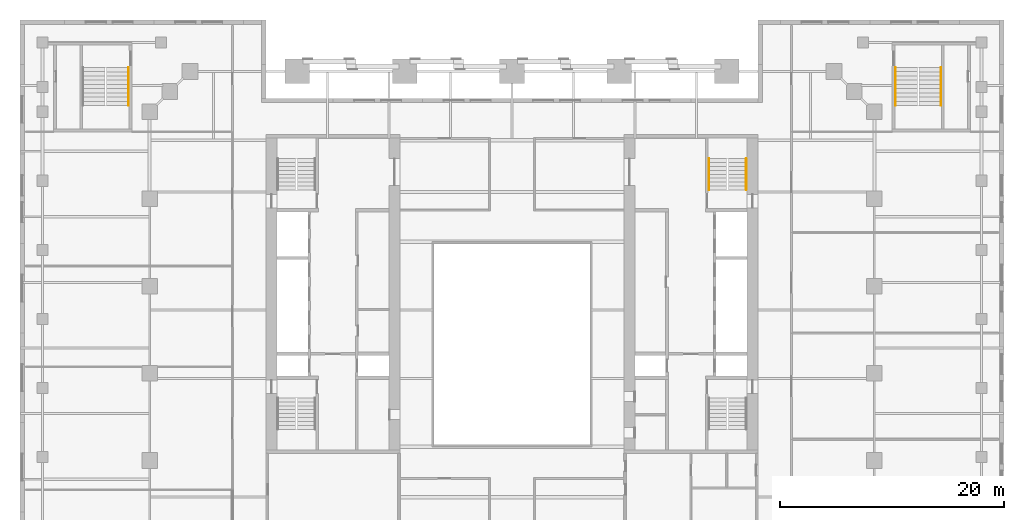
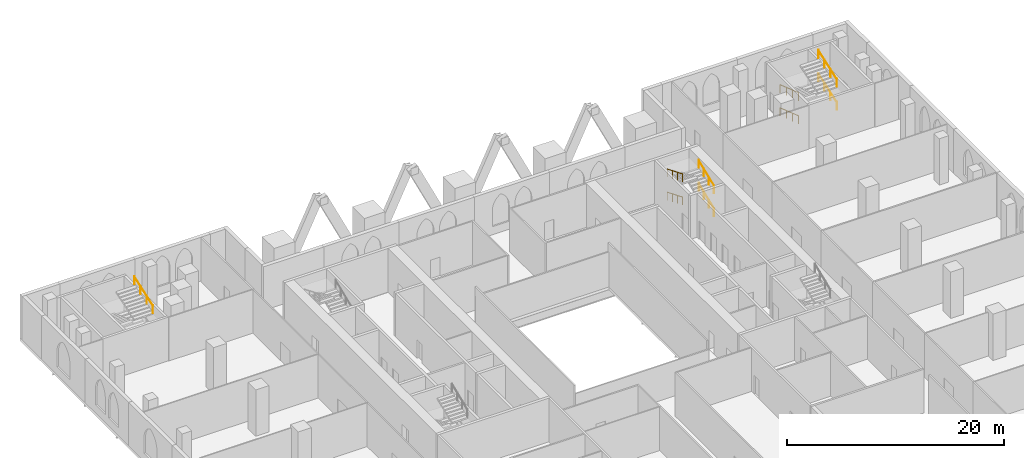
# One storey, part 22 of 22: 9 railings.
"""IFC4 building model written with IfcOpenShell, lengths in metres."""

from ifc_helpers import new_model, si_unit, direction, frame, origin, origin_2d, place, context, subcontext, project, spatial, circle, extrude, material, type_object, element, save


model = new_model("IFC4")

# Units and contexts
model_context = context("Model", 3, precision=1e-05, world=origin(), true_north=direction((0.0, 1.0)))
body_context = subcontext(model_context, "Body", "Model", "MODEL_VIEW")
ifc_project = project(units=[si_unit("LENGTHUNIT", "METRE"), si_unit("AREAUNIT", "SQUARE_METRE"), si_unit("VOLUMEUNIT", "CUBIC_METRE"), si_unit("PLANEANGLEUNIT", "RADIAN"), si_unit("MASSUNIT", "GRAM", prefix="KILO")], contexts=[model_context])

# Site, building, storey
site_placement = place(None, origin())
site = spatial("IfcSite", under=ifc_project, at=site_placement, CompositionType="ELEMENT")
building_placement = place(site_placement, origin())
building = spatial("IfcBuilding", under=site, at=building_placement, Name="Ogive Exchange Tower", CompositionType="ELEMENT")
storey_placement = place(building_placement, frame((0.0, 0.0, 14.0)))
storey = spatial("IfcBuildingStorey", under=building, at=storey_placement, Name="L02", CompositionType="ELEMENT", Elevation=14.0)

# Railings
ifc_material = material(Name="Stainless steel", Category="steel")
railing_type = type_object("IfcRailingType", Name="Stair handrail 900", PredefinedType="HANDRAIL", material=ifc_material)
railing_1_placement = place(storey_placement, frame((20.949951171875, 20.800048828125, 0.14453125)))
element("IfcRailing", 1, at=railing_1_placement, inside=storey, type_object=railing_type, Name="L02 ST4 stair handrail 1", PredefinedType="HANDRAIL", context=body_context, shape_type="SweptSolid", body=[
    extrude(circle(Radius=0.02392578125, at=origin_2d()), frame((0.0, 0.0, 0.8759765625), z_axis=(0.0, 0.924754679997, 0.380563768405), x_axis=(-1.0, 0.0, 0.0)), (0.0, 0.0, 1.0), 3.036376953125),
    extrude(circle(Radius=0.02099609375, at=origin_2d()), origin(), (0.0, 0.0, 1.0), 0.851806640625),
    extrude(circle(Radius=0.02099609375, at=origin_2d()), frame((0.0, 0.93603515625, 0.38525390625)), (0.0, 0.0, 1.0), 0.851806640625),
    extrude(circle(Radius=0.02099609375, at=origin_2d()), frame((0.0, 1.871826171875, 0.770263671875)), (0.0, 0.0, 1.0), 0.851806640625),
    extrude(circle(Radius=0.02099609375, at=origin_2d()), frame((0.0, 2.807861328125, 1.155517578125)), (0.0, 0.0, 1.0), 0.851806640625),
])
railing_2_placement = place(storey_placement, frame((17.60009765625, 23.60791015625, 1.4443359375)))
element("IfcRailing", 2, at=railing_2_placement, inside=storey, type_object=railing_type, Name="L02 ST4 stair handrail 2", PredefinedType="HANDRAIL", context=body_context, shape_type="SweptSolid", body=[
    extrude(circle(Radius=0.02392578125, at=origin_2d()), frame((0.0, 0.0, 0.8759765625), z_axis=(0.0, -0.924726381013, 0.380632526538), x_axis=(1.0, 0.0, 0.0)), (0.0, 0.0, 1.0), 3.036376953125),
    extrude(circle(Radius=0.02099609375, at=origin_2d()), origin(), (0.0, 0.0, 1.0), 0.851806640625),
    extrude(circle(Radius=0.02099609375, at=origin_2d()), frame((0.0, -0.93603515625, 0.38525390625)), (0.0, 0.0, 1.0), 0.851806640625),
    extrude(circle(Radius=0.02099609375, at=origin_2d()), frame((0.0, -1.871826171875, 0.7705078125)), (0.0, 0.0, 1.0), 0.851806640625),
    extrude(circle(Radius=0.02099609375, at=origin_2d()), frame((0.0, -2.807861328125, 1.15576171875)), (0.0, 0.0, 1.0), 0.851806640625),
])
railing_3_placement = place(storey_placement, frame((20.949951171875, 20.800048828125, 2.744384765625)))
element("IfcRailing", 3, at=railing_3_placement, inside=storey, type_object=railing_type, Name="L02 ST4 stair handrail 3", PredefinedType="HANDRAIL", context=body_context, shape_type="SweptSolid", body=[
    extrude(circle(Radius=0.02392578125, at=origin_2d()), frame((0.0, 0.0, 0.8759765625), z_axis=(0.0, 0.924754679997, 0.380563768405), x_axis=(-1.0, 0.0, 0.0)), (0.0, 0.0, 1.0), 3.036376953125),
    extrude(circle(Radius=0.02099609375, at=origin_2d()), origin(), (0.0, 0.0, 1.0), 0.851806640625),
    extrude(circle(Radius=0.02099609375, at=origin_2d()), frame((0.0, 0.93603515625, 0.38525390625)), (0.0, 0.0, 1.0), 0.851806640625),
    extrude(circle(Radius=0.02099609375, at=origin_2d()), frame((0.0, 1.871826171875, 0.770263671875)), (0.0, 0.0, 1.0), 0.851806640625),
    extrude(circle(Radius=0.02099609375, at=origin_2d()), frame((0.0, 2.807861328125, 1.155517578125)), (0.0, 0.0, 1.0), 0.851806640625),
])
railing_4_placement = place(storey_placement, frame((17.60009765625, 23.60791015625, 4.04443359375)))
element("IfcRailing", 4, at=railing_4_placement, inside=storey, type_object=railing_type, Name="L02 ST4 stair handrail 4", PredefinedType="HANDRAIL", context=body_context, shape_type="SweptSolid", body=[
    extrude(circle(Radius=0.02392578125, at=origin_2d()), frame((0.0, 0.0, 0.8759765625), z_axis=(0.0, -0.924754679997, 0.380563768405), x_axis=(1.0, 0.0, 0.0)), (0.0, 0.0, 1.0), 3.036376953125),
    extrude(circle(Radius=0.02099609375, at=origin_2d()), origin(), (0.0, 0.0, 1.0), 0.851806640625),
    extrude(circle(Radius=0.02099609375, at=origin_2d()), frame((0.0, -0.93603515625, 0.38525390625)), (0.0, 0.0, 1.0), 0.851806640625),
    extrude(circle(Radius=0.02099609375, at=origin_2d()), frame((0.0, -1.871826171875, 0.770263671875)), (0.0, 0.0, 1.0), 0.851806640625),
    extrude(circle(Radius=0.02099609375, at=origin_2d()), frame((0.0, -2.807861328125, 1.155517578125)), (0.0, 0.0, 1.0), 0.851806640625),
])
railing_5_placement = place(storey_placement, frame((-34.300048828125, 28.347900390625, 4.030029296875)))
element("IfcRailing", 5, at=railing_5_placement, inside=storey, type_object=railing_type, Name="L02 PS3 stair handrail 4", PredefinedType="HANDRAIL", context=body_context, shape_type="SweptSolid", body=[
    extrude(circle(Radius=0.02392578125, at=origin_2d()), frame((0.0, 0.0, 0.8759765625), z_axis=(0.0, 0.945648128033, 0.325191663404), x_axis=(-1.0, 0.0, 0.0)), (0.0, 0.0, 1.0), 3.59765625),
    extrude(circle(Radius=0.02099609375, at=origin_2d()), origin(), (0.0, 0.0, 1.0), 0.851806640625),
    extrude(circle(Radius=0.02099609375, at=origin_2d()), frame((0.0, 1.134033203125, 0.389892578125)), (0.0, 0.0, 1.0), 0.851806640625),
    extrude(circle(Radius=0.02099609375, at=origin_2d()), frame((0.0, 2.26806640625, 0.780029296875)), (0.0, 0.0, 1.0), 0.851806640625),
    extrude(circle(Radius=0.02099609375, at=origin_2d()), frame((0.0, 3.402099609375, 1.169921875)), (0.0, 0.0, 1.0), 0.851806640625),
])
railing_6_placement = place(storey_placement, frame((34.300048828125, 31.75, 0.1298828125)))
element("IfcRailing", 6, at=railing_6_placement, inside=storey, type_object=railing_type, Name="L02 PS4 stair handrail 1", PredefinedType="HANDRAIL", context=body_context, shape_type="SweptSolid", body=[
    extrude(circle(Radius=0.02392578125, at=origin_2d()), frame((0.0, 0.0, 0.8759765625), z_axis=(0.0, -0.945627258031, 0.325252346447), x_axis=(1.0, 0.0, 0.0)), (0.0, 0.0, 1.0), 3.59765625),
    extrude(circle(Radius=0.02099609375, at=origin_2d()), origin(), (0.0, 0.0, 1.0), 0.851806640625),
    extrude(circle(Radius=0.02099609375, at=origin_2d()), frame((0.0, -1.134033203125, 0.39013671875)), (0.0, 0.0, 1.0), 0.851806640625),
    extrude(circle(Radius=0.02099609375, at=origin_2d()), frame((0.0, -2.26806640625, 0.780029296875)), (0.0, 0.0, 1.0), 0.851806640625),
    extrude(circle(Radius=0.02099609375, at=origin_2d()), frame((0.0, -3.402099609375, 1.170166015625)), (0.0, 0.0, 1.0), 0.851806640625),
])
railing_7_placement = place(storey_placement, frame((38.35009765625, 28.347900390625, 1.429931640625)))
element("IfcRailing", 7, at=railing_7_placement, inside=storey, type_object=railing_type, Name="L02 PS4 stair handrail 2", PredefinedType="HANDRAIL", context=body_context, shape_type="SweptSolid", body=[
    extrude(circle(Radius=0.02392578125, at=origin_2d()), frame((0.0, 0.0, 0.8759765625), z_axis=(0.0, 0.945627258031, 0.325252346447), x_axis=(-1.0, 0.0, 0.0)), (0.0, 0.0, 1.0), 3.59765625),
    extrude(circle(Radius=0.02099609375, at=origin_2d()), origin(), (0.0, 0.0, 1.0), 0.851806640625),
    extrude(circle(Radius=0.02099609375, at=origin_2d()), frame((0.0, 1.134033203125, 0.39013671875)), (0.0, 0.0, 1.0), 0.851806640625),
    extrude(circle(Radius=0.02099609375, at=origin_2d()), frame((0.0, 2.26806640625, 0.780029296875)), (0.0, 0.0, 1.0), 0.851806640625),
    extrude(circle(Radius=0.02099609375, at=origin_2d()), frame((0.0, 3.402099609375, 1.170166015625)), (0.0, 0.0, 1.0), 0.851806640625),
])
railing_8_placement = place(storey_placement, frame((34.300048828125, 31.75, 2.72998046875)))
element("IfcRailing", 8, at=railing_8_placement, inside=storey, type_object=railing_type, Name="L02 PS4 stair handrail 3", PredefinedType="HANDRAIL", context=body_context, shape_type="SweptSolid", body=[
    extrude(circle(Radius=0.02392578125, at=origin_2d()), frame((0.0, 0.0, 0.8759765625), z_axis=(0.0, -0.945648128033, 0.325191663404), x_axis=(1.0, 0.0, 0.0)), (0.0, 0.0, 1.0), 3.59765625),
    extrude(circle(Radius=0.02099609375, at=origin_2d()), origin(), (0.0, 0.0, 1.0), 0.851806640625),
    extrude(circle(Radius=0.02099609375, at=origin_2d()), frame((0.0, -1.134033203125, 0.389892578125)), (0.0, 0.0, 1.0), 0.851806640625),
    extrude(circle(Radius=0.02099609375, at=origin_2d()), frame((0.0, -2.26806640625, 0.780029296875)), (0.0, 0.0, 1.0), 0.851806640625),
    extrude(circle(Radius=0.02099609375, at=origin_2d()), frame((0.0, -3.402099609375, 1.169921875)), (0.0, 0.0, 1.0), 0.851806640625),
])
railing_9_placement = place(storey_placement, frame((38.35009765625, 28.347900390625, 4.030029296875)))
element("IfcRailing", 9, at=railing_9_placement, inside=storey, type_object=railing_type, Name="L02 PS4 stair handrail 4", PredefinedType="HANDRAIL", context=body_context, shape_type="SweptSolid", body=[
    extrude(circle(Radius=0.02392578125, at=origin_2d()), frame((0.0, 0.0, 0.8759765625), z_axis=(0.0, 0.945648128033, 0.325191663404), x_axis=(-1.0, 0.0, 0.0)), (0.0, 0.0, 1.0), 3.59765625),
    extrude(circle(Radius=0.02099609375, at=origin_2d()), origin(), (0.0, 0.0, 1.0), 0.851806640625),
    extrude(circle(Radius=0.02099609375, at=origin_2d()), frame((0.0, 1.134033203125, 0.389892578125)), (0.0, 0.0, 1.0), 0.851806640625),
    extrude(circle(Radius=0.02099609375, at=origin_2d()), frame((0.0, 2.26806640625, 0.780029296875)), (0.0, 0.0, 1.0), 0.851806640625),
    extrude(circle(Radius=0.02099609375, at=origin_2d()), frame((0.0, 3.402099609375, 1.169921875)), (0.0, 0.0, 1.0), 0.851806640625),
])

save(model, "model.ifc")
